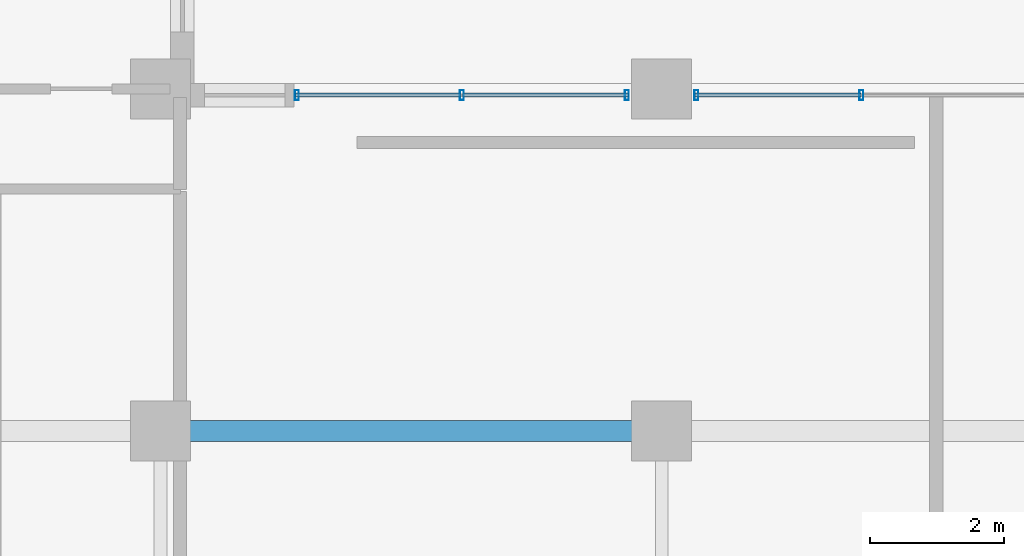
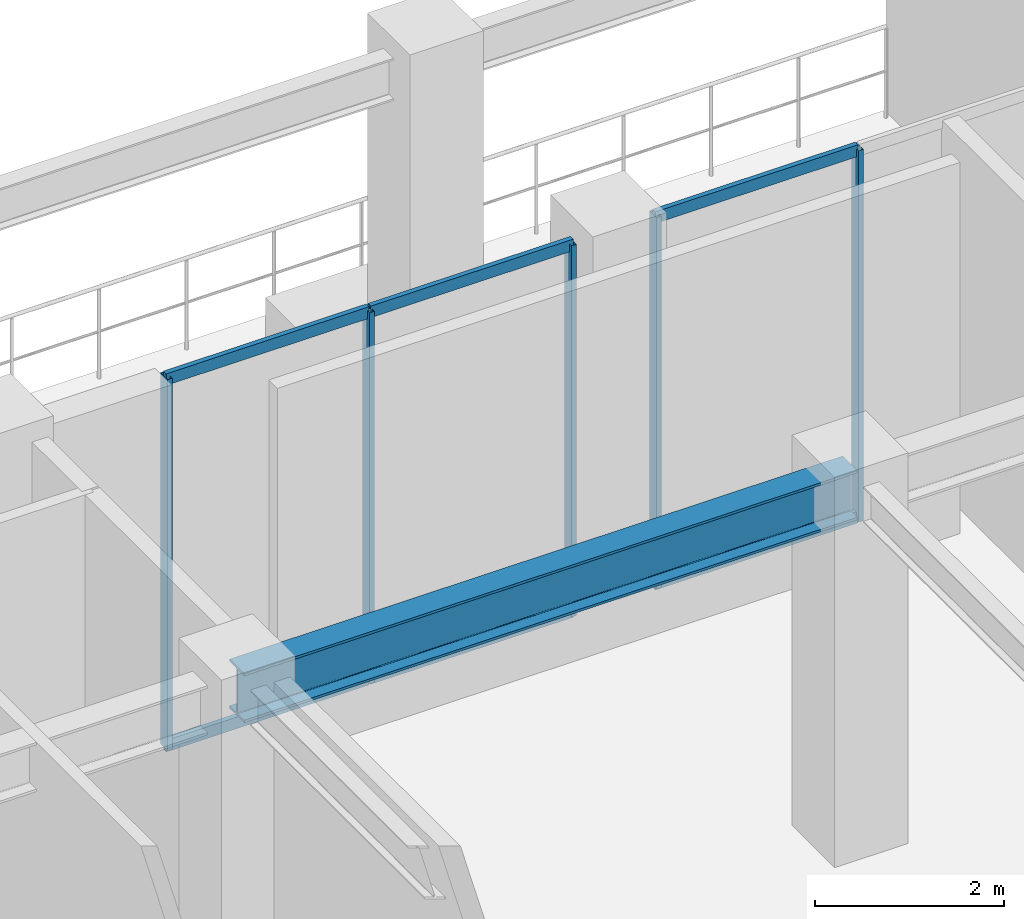
# One storey, part 3 of 12: 11 members, 1 beam, 2 elements without a shape of their own.
"""IFC4 building model written with IfcOpenShell, lengths in metres."""

from ifc_helpers import new_model, si_unit, direction, frame, origin, origin_2d, place, context, subcontext, project, spatial, hollow_rectangle, i_section, extrude, material, material_profile, profile_set, type_object, element, aggregate, save


model = new_model("IFC4")

# Units and contexts
model_context = context("Model", 3, precision=1e-05, world=origin(), true_north=direction((0.0, 1.0)))
body_context = subcontext(model_context, "Body", "Model", "MODEL_VIEW")
ifc_project = project(units=[si_unit("LENGTHUNIT", "METRE"), si_unit("AREAUNIT", "SQUARE_METRE"), si_unit("VOLUMEUNIT", "CUBIC_METRE"), si_unit("PLANEANGLEUNIT", "RADIAN"), si_unit("MASSUNIT", "GRAM", prefix="KILO")], contexts=[model_context])

# Site, building, storey
site_placement = place(None, origin())
site = spatial("IfcSite", under=ifc_project, at=site_placement, CompositionType="ELEMENT")
building_placement = place(site_placement, origin())
building = spatial("IfcBuilding", under=site, at=building_placement, Name="Ventersveld Concourse Tower", CompositionType="ELEMENT")
storey_placement = place(building_placement, frame((0.0, 0.0, 76.0)))
storey = spatial("IfcBuildingStorey", under=building, at=storey_placement, Name="L18", CompositionType="ELEMENT", Elevation=76.0)

# Curtain wall, members
ifc_material_1 = material(Name="Anodised aluminium EN AW-6063-T6", Category="aluminium")
curtain_wall_type = type_object("IfcCurtainWallType", Name="CW-SG-4", PredefinedType="NOTDEFINED", material=ifc_material_1)
curtain_wall_1_placement = place(storey_placement, origin())
curtain_wall_1 = element("IfcCurtainWall", 1, at=curtain_wall_1_placement, inside=storey, type_object=curtain_wall_type, Name="L18 L18 Sky Garden Recessed Curtain Wall", PredefinedType="NOTDEFINED")
ifc_material_profile_1 = material_profile(ifc_material_1, hollow_rectangle(XDim=0.06005859375, YDim=0.14990234375, WallThickness=0.00390625, at=origin_2d()), Name="ALU 150x60x4")
ifc_profile_set_1 = profile_set([ifc_material_profile_1], Name="Anodised aluminium EN AW-6063-T6")
member_type_1 = type_object("IfcMemberType", Name="CWM-150x65", PredefinedType="MULLION", material=ifc_profile_set_1)
member_1_placement = place(storey_placement, frame((23.2900390625, 40.02490234375, 0.0), z_axis=(0.0, 0.0, 1.0), x_axis=(1.0, 0.0, 0.0)))
member_1 = element("IfcMember", 2, at=member_1_placement, type_object=member_type_1, Name="CW-L18-SG-S1 Mullion 01", PredefinedType="MULLION", context=body_context, shape_type="SweptSolid", body=[
    extrude(hollow_rectangle(XDim=0.06005859375, YDim=0.14990234375, WallThickness=0.00390625, at=origin_2d()), origin(), (0.0, 0.0, 1.0), 4.800048828125),
])
member_2_placement = place(storey_placement, frame((25.760009765625, 40.02490234375, 0.0), z_axis=(0.0, 0.0, 1.0), x_axis=(1.0, 0.0, 0.0)))
member_2 = element("IfcMember", 3, at=member_2_placement, type_object=member_type_1, Name="CW-L18-SG-S1 Mullion 02", PredefinedType="MULLION", context=body_context, shape_type="SweptSolid", body=[
    extrude(hollow_rectangle(XDim=0.06005859375, YDim=0.14990234375, WallThickness=0.00390625, at=origin_2d()), origin(), (0.0, 0.0, 1.0), 4.800048828125),
])
member_3_placement = place(storey_placement, frame((28.22998046875, 40.02490234375, 0.0), z_axis=(0.0, 0.0, 1.0), x_axis=(1.0, 0.0, 0.0)))
member_3 = element("IfcMember", 4, at=member_3_placement, type_object=member_type_1, Name="CW-L18-SG-S1 Mullion 03", PredefinedType="MULLION", context=body_context, shape_type="SweptSolid", body=[
    extrude(hollow_rectangle(XDim=0.06005859375, YDim=0.14990234375, WallThickness=0.00390625, at=origin_2d()), origin(), (0.0, 0.0, 1.0), 4.800048828125),
])

curtain_wall_2_placement = place(storey_placement, origin())
curtain_wall_2 = element("IfcCurtainWall", 5, at=curtain_wall_2_placement, inside=storey, type_object=curtain_wall_type, Name="L18 L18 Sky Garden Recessed Curtain Wall", PredefinedType="NOTDEFINED")
member_4_placement = place(storey_placement, frame((29.27001953125, 40.02490234375, 0.0), z_axis=(0.0, 0.0, 1.0), x_axis=(1.0, 0.0, 0.0)))
member_4 = element("IfcMember", 6, at=member_4_placement, type_object=member_type_1, Name="CW-L18-SG-S2 Mullion 01", PredefinedType="MULLION", context=body_context, shape_type="SweptSolid", body=[
    extrude(hollow_rectangle(XDim=0.06005859375, YDim=0.14990234375, WallThickness=0.00390625, at=origin_2d()), origin(), (0.0, 0.0, 1.0), 4.800048828125),
])
member_5_placement = place(storey_placement, frame((31.739990234375, 40.02490234375, 0.0), z_axis=(0.0, 0.0, 1.0), x_axis=(1.0, 0.0, 0.0)))
member_5 = element("IfcMember", 7, at=member_5_placement, type_object=member_type_1, Name="CW-L18-SG-S2 Mullion 02", PredefinedType="MULLION", context=body_context, shape_type="SweptSolid", body=[
    extrude(hollow_rectangle(XDim=0.06005859375, YDim=0.14990234375, WallThickness=0.00390625, at=origin_2d()), origin(), (0.0, 0.0, 1.0), 4.800048828125),
])

# Member
ifc_material_profile_2 = material_profile(ifc_material_1, hollow_rectangle(XDim=0.06005859375, YDim=0.14990234375, WallThickness=0.00390625, at=origin_2d()), Name="ALU 150x60x4")
ifc_profile_set_2 = profile_set([ifc_material_profile_2], Name="Anodised aluminium EN AW-6063-T6")
member_type_2 = type_object("IfcMemberType", Name="CWT-150x60", PredefinedType="USERDEFINED", material=ifc_profile_set_2)
member_6_placement = place(storey_placement, frame((23.27001953125, 40.02490234375, 0.030029296875), z_axis=(1.0, 0.0, 0.0), x_axis=(0.0, 1.0, 0.0)))
member_6 = element("IfcMember", 8, at=member_6_placement, type_object=member_type_2, Name="CW-L18-SG-S1 Transom 1-01", ObjectType="TRANSOM", PredefinedType="USERDEFINED", context=body_context, shape_type="SweptSolid", body=[
    extrude(hollow_rectangle(XDim=0.06005859375, YDim=0.14990234375, WallThickness=0.00390625, at=origin_2d()), origin(), (0.0, 0.0, 1.0), 2.47998046875),
])

member_7_placement = place(storey_placement, frame((25.77001953125, 40.02490234375, 0.030029296875), z_axis=(1.0, 0.0, 0.0), x_axis=(0.0, 1.0, 0.0)))
member_7 = element("IfcMember", 9, at=member_7_placement, type_object=member_type_2, Name="CW-L18-SG-S1 Transom 1-02", ObjectType="TRANSOM", PredefinedType="USERDEFINED", context=body_context, shape_type="SweptSolid", body=[
    extrude(hollow_rectangle(XDim=0.06005859375, YDim=0.14990234375, WallThickness=0.00390625, at=origin_2d()), origin(), (0.0, 0.0, 1.0), 2.47998046875),
])

member_8_placement = place(storey_placement, frame((23.27001953125, 40.02490234375, 4.77001953125), z_axis=(1.0, 0.0, 0.0), x_axis=(0.0, 1.0, 0.0)))
member_8 = element("IfcMember", 10, at=member_8_placement, type_object=member_type_2, Name="CW-L18-SG-S1 Transom 2-01", ObjectType="TRANSOM", PredefinedType="USERDEFINED", context=body_context, shape_type="SweptSolid", body=[
    extrude(hollow_rectangle(XDim=0.06005859375, YDim=0.14990234375, WallThickness=0.00390625, at=origin_2d()), origin(), (0.0, 0.0, 1.0), 2.47998046875),
])

member_9_placement = place(storey_placement, frame((25.77001953125, 40.02490234375, 4.77001953125), z_axis=(1.0, 0.0, 0.0), x_axis=(0.0, 1.0, 0.0)))
member_9 = element("IfcMember", 11, at=member_9_placement, type_object=member_type_2, Name="CW-L18-SG-S1 Transom 2-02", ObjectType="TRANSOM", PredefinedType="USERDEFINED", context=body_context, shape_type="SweptSolid", body=[
    extrude(hollow_rectangle(XDim=0.06005859375, YDim=0.14990234375, WallThickness=0.00390625, at=origin_2d()), origin(), (0.0, 0.0, 1.0), 2.47998046875),
])

aggregate(curtain_wall_1, [member_1, member_2, member_3, member_6, member_7, member_8, member_9])

member_10_placement = place(storey_placement, frame((29.25, 40.02490234375, 0.030029296875), z_axis=(1.0, 0.0, 0.0), x_axis=(0.0, 1.0, 0.0)))
member_10 = element("IfcMember", 12, at=member_10_placement, type_object=member_type_2, Name="CW-L18-SG-S2 Transom 1-01", ObjectType="TRANSOM", PredefinedType="USERDEFINED", context=body_context, shape_type="SweptSolid", body=[
    extrude(hollow_rectangle(XDim=0.06005859375, YDim=0.14990234375, WallThickness=0.00390625, at=origin_2d()), origin(), (0.0, 0.0, 1.0), 2.47998046875),
])

member_11_placement = place(storey_placement, frame((29.25, 40.02490234375, 4.77001953125), z_axis=(1.0, 0.0, 0.0), x_axis=(0.0, 1.0, 0.0)))
member_11 = element("IfcMember", 13, at=member_11_placement, type_object=member_type_2, Name="CW-L18-SG-S2 Transom 2-01", ObjectType="TRANSOM", PredefinedType="USERDEFINED", context=body_context, shape_type="SweptSolid", body=[
    extrude(hollow_rectangle(XDim=0.06005859375, YDim=0.14990234375, WallThickness=0.00390625, at=origin_2d()), origin(), (0.0, 0.0, 1.0), 2.47998046875),
])

aggregate(curtain_wall_2, [member_4, member_5, member_10, member_11])

# Beam
ifc_material_2 = material(Name="Structural steel S355J2", Category="steel")
ifc_material_profile_3 = material_profile(ifc_material_2, i_section(OverallWidth=0.311279296875, OverallDepth=0.6357421875, WebThickness=0.018310546875, FlangeThickness=0.031494140625, FilletRadius=0.0166015625, at=origin_2d()), Name="UB 610x305x238")
ifc_profile_set_3 = profile_set([ifc_material_profile_3], Name="Structural steel S355J2")
beam_type = type_object("IfcBeamType", Name="GRD-UB610H", PredefinedType="USERDEFINED", material=ifc_profile_set_3)
beam_placement = place(storey_placement, frame((21.25, 35.0, 4.482177734375), z_axis=(1.0, 0.0, 0.0), x_axis=(0.0, 1.0, 0.0)))
element("IfcBeam", 14, at=beam_placement, inside=storey, type_object=beam_type, Name="L18 E-W Grid Girder Y=35.00 #3", ObjectType="GIRDER", PredefinedType="USERDEFINED", context=body_context, shape_type="SweptSolid", body=[
    extrude(i_section(OverallWidth=0.311279296875, OverallDepth=0.6357421875, WebThickness=0.018310546875, FlangeThickness=0.031494140625, FilletRadius=0.0166015625, at=origin_2d()), origin(), (0.0, 0.0, 1.0), 7.5),
])

save(model, "model.ifc")
